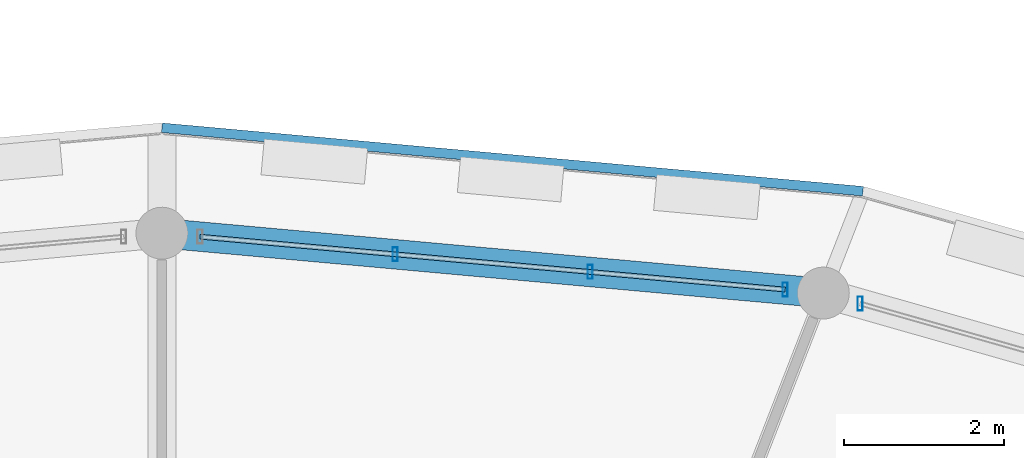
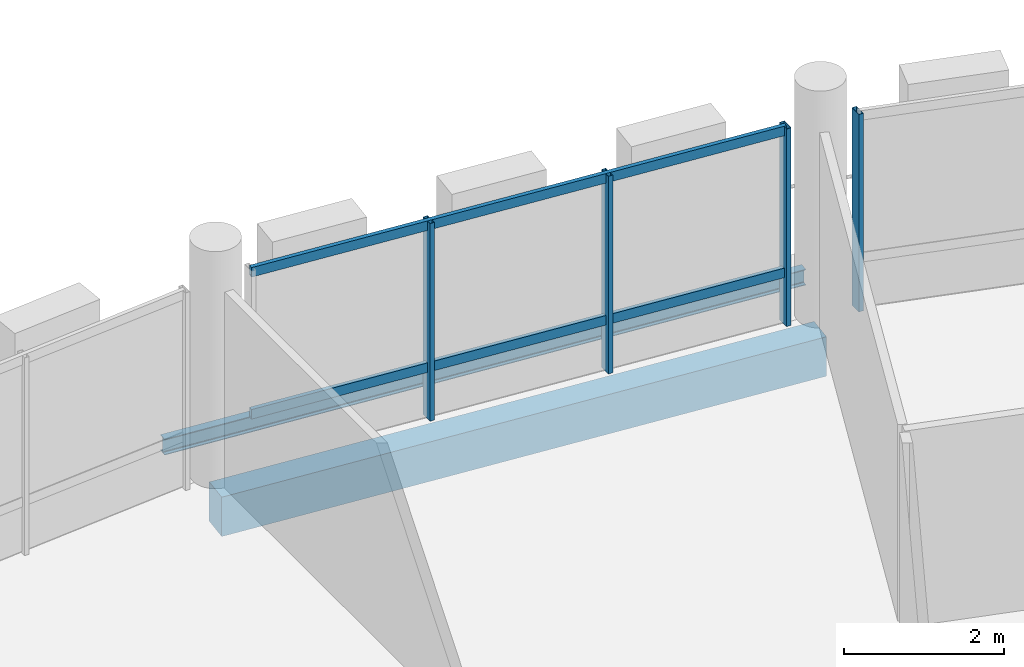
# One storey, part 52 of 93: 6 members, 2 beams, 2 elements without a shape of their own.
"""IFC4 building model written with IfcOpenShell, lengths in metres."""

from ifc_helpers import new_model, si_unit, direction, frame, origin, origin_2d, place, context, subcontext, project, spatial, rectangle, hollow_rectangle, i_section, extrude, material, material_profile, profile_set, type_object, element, aggregate, save


model = new_model("IFC4")

# Units and contexts
model_context = context("Model", 3, precision=1e-05, world=origin(), true_north=direction((0.0, 1.0)))
body_context = subcontext(model_context, "Body", "Model", "MODEL_VIEW")
ifc_project = project(units=[si_unit("LENGTHUNIT", "METRE"), si_unit("AREAUNIT", "SQUARE_METRE"), si_unit("VOLUMEUNIT", "CUBIC_METRE"), si_unit("PLANEANGLEUNIT", "RADIAN"), si_unit("MASSUNIT", "GRAM", prefix="KILO")], contexts=[model_context])

# Site, building, storey
site_placement = place(None, origin())
site = spatial("IfcSite", under=ifc_project, at=site_placement, CompositionType="ELEMENT")
building_placement = place(site_placement, origin())
building = spatial("IfcBuilding", under=site, at=building_placement, Name="Zornivar Specialist Clinic", CompositionType="ELEMENT")
storey_placement = place(building_placement, frame((0.0, 0.0, 8.39990234375)))
storey = spatial("IfcBuildingStorey", under=building, at=storey_placement, Name="L02", CompositionType="ELEMENT", Elevation=8.39990234375)

# Beams
ifc_material_1 = material(Name="Concrete C30/37", Category="concrete")
ifc_material_profile_1 = material_profile(ifc_material_1, rectangle(XDim=0.3701171875, YDim=0.60009765625, at=origin_2d()), Name="RC 370x600")
ifc_profile_set_1 = profile_set([ifc_material_profile_1], Name="Concrete C30/37")
beam_type_1 = type_object("IfcBeamType", Name="BM-RC-SPANDREL-370x600", PredefinedType="SPANDREL", material=ifc_profile_set_1)
beam_1_placement = place(storey_placement, frame((101.882080078125, 78.85009765625, -0.539794921875), z_axis=(-0.99592467027, 0.09018897465, 0.0), x_axis=(-0.09018897465, -0.99592467027, 0.0)))
element("IfcBeam", 1, at=beam_1_placement, inside=storey, type_object=beam_type_1, Name="bm:V1:L02:outring:05", PredefinedType="SPANDREL", context=body_context, shape_type="SweptSolid", body=[
    extrude(rectangle(XDim=0.3701171875, YDim=0.60009765625, at=origin_2d()), origin(), (0.0, 0.0, 1.0), 8.31591796875),
])
ifc_material_2 = material(Name="Steel S355J2", Category="steel")
ifc_material_profile_2 = material_profile(ifc_material_2, i_section(OverallWidth=0.1201171875, OverallDepth=0.239990234375, WebThickness=0.006103515625, FlangeThickness=0.009765625, FilletRadius=0.014892578125, at=origin_2d()), Name="IPE 240")
ifc_profile_set_2 = profile_set([ifc_material_profile_2], Name="Steel S355J2")
beam_type_2 = type_object("IfcBeamType", Name="BM-STL-IPE240", PredefinedType="JOIST", material=ifc_profile_set_2)
beam_2_placement = place(storey_placement, frame((102.37890625, 80.125, -0.35986328125), z_axis=(-0.995925380717, 0.090181129084, 0.0), x_axis=(-0.090181129084, -0.995925380717, 0.0)))
element("IfcBeam", 2, at=beam_2_placement, inside=storey, type_object=beam_type_2, Name="bm:V1:L02:balring:05", PredefinedType="JOIST", context=body_context, shape_type="SweptSolid", body=[
    extrude(i_section(OverallWidth=0.1201171875, OverallDepth=0.239990234375, WebThickness=0.006103515625, FlangeThickness=0.009765625, FilletRadius=0.014892578125, at=origin_2d()), origin(), (0.0, 0.0, 1.0), 8.814697265625),
])

# Curtain wall, member
ifc_material_3 = material(Name="Aluminium and Low-E Glass Curtain Wall", Category="aluminium")
curtain_wall_type = type_object("IfcCurtainWallType", Name="CW-DRUM-FACET", PredefinedType="NOTDEFINED", material=ifc_material_3)
curtain_wall_1_placement = place(storey_placement, origin())
curtain_wall_1 = element("IfcCurtainWall", 3, at=curtain_wall_1_placement, inside=storey, type_object=curtain_wall_type, Name="cw:V1:L02:c04", PredefinedType="NOTDEFINED")
ifc_material_4 = material(Name="Aluminium AW-6060", Category="aluminium")
ifc_material_profile_3 = material_profile(ifc_material_4, hollow_rectangle(XDim=0.06494140625, YDim=0.175048828125, WallThickness=0.00439453125, at=origin_2d()), Name="ALU 65x175x4.5")
ifc_profile_set_3 = profile_set([ifc_material_profile_3], Name="Aluminium AW-6060")
member_type_1 = type_object("IfcMemberType", Name="CWM-MUL-175", PredefinedType="MULLION", material=ifc_profile_set_3)
member_1_placement = place(storey_placement, frame((102.343017578125, 78.718017578125, 0.0), z_axis=(0.0, 0.0, 1.0), x_axis=(1.0, 0.0, 0.0)))
member_1 = element("IfcMember", 4, at=member_1_placement, type_object=member_type_1, Name="cw:V1:L02:c04:mul:3", PredefinedType="MULLION", context=body_context, shape_type="SweptSolid", body=[
    extrude(hollow_rectangle(XDim=0.06494140625, YDim=0.175048828125, WallThickness=0.00439453125, at=origin_2d()), origin(), (0.0, 0.0, 1.0), 3.010009765625),
])
aggregate(curtain_wall_1, [member_1])

# Curtain wall, members
curtain_wall_2_placement = place(storey_placement, origin())
curtain_wall_2 = element("IfcCurtainWall", 5, at=curtain_wall_2_placement, inside=storey, type_object=curtain_wall_type, Name="cw:V1:L02:c05", PredefinedType="NOTDEFINED")
member_2_placement = place(storey_placement, frame((101.404052734375, 78.89404296875, 0.0), z_axis=(0.0, 0.0, 1.0), x_axis=(1.0, 0.0, 0.0)))
member_2 = element("IfcMember", 6, at=member_2_placement, type_object=member_type_1, Name="cw:V1:L02:c05:mul:0", PredefinedType="MULLION", context=body_context, shape_type="SweptSolid", body=[
    extrude(hollow_rectangle(XDim=0.06494140625, YDim=0.175048828125, WallThickness=0.00439453125, at=origin_2d()), origin(), (0.0, 0.0, 1.0), 3.010009765625),
])
member_3_placement = place(storey_placement, frame((98.9619140625, 79.114990234375, 0.0), z_axis=(0.0, 0.0, 1.0), x_axis=(1.0, 0.0, 0.0)))
member_3 = element("IfcMember", 7, at=member_3_placement, type_object=member_type_1, Name="cw:V1:L02:c05:mul:1", PredefinedType="MULLION", context=body_context, shape_type="SweptSolid", body=[
    extrude(hollow_rectangle(XDim=0.06494140625, YDim=0.175048828125, WallThickness=0.00439453125, at=origin_2d()), origin(), (0.0, 0.0, 1.0), 3.010009765625),
])
member_4_placement = place(storey_placement, frame((96.52001953125, 79.3359375, 0.0), z_axis=(0.0, 0.0, 1.0), x_axis=(1.0, 0.0, 0.0)))
member_4 = element("IfcMember", 8, at=member_4_placement, type_object=member_type_1, Name="cw:V1:L02:c05:mul:2", PredefinedType="MULLION", context=body_context, shape_type="SweptSolid", body=[
    extrude(hollow_rectangle(XDim=0.06494140625, YDim=0.175048828125, WallThickness=0.00439453125, at=origin_2d()), origin(), (0.0, 0.0, 1.0), 3.010009765625),
])
ifc_material_5 = material(Name="Aluminium AW-6060", Category="aluminium")
ifc_material_profile_4 = material_profile(ifc_material_5, hollow_rectangle(XDim=0.06005859375, YDim=0.14501953125, WallThickness=0.00390625, at=origin_2d()), Name="ALU 60x145x4")
ifc_profile_set_4 = profile_set([ifc_material_profile_4], Name="Aluminium AW-6060")
member_type_2 = type_object("IfcMemberType", Name="CWM-TRN-145", PredefinedType="USERDEFINED", material=ifc_profile_set_4)
member_5_placement = place(storey_placement, frame((101.404052734375, 78.89404296875, 0.783203125), z_axis=(-0.995943921343, 0.089976138722, 0.0), x_axis=(-0.089976138722, -0.995943921343, 0.0)))
member_5 = element("IfcMember", 9, at=member_5_placement, type_object=member_type_2, Name="cw:V1:L02:c05:trn:0", ObjectType="TRANSOM", PredefinedType="USERDEFINED", context=body_context, shape_type="SweptSolid", body=[
    extrude(hollow_rectangle(XDim=0.06005859375, YDim=0.14501953125, WallThickness=0.00390625, at=origin_2d()), origin(), (0.0, 0.0, 1.0), 7.35595703125),
])
member_6_placement = place(storey_placement, frame((101.404052734375, 78.89404296875, 2.945068359375), z_axis=(-0.995943921343, 0.089976138722, 0.0), x_axis=(-0.089976138722, -0.995943921343, 0.0)))
member_6 = element("IfcMember", 10, at=member_6_placement, type_object=member_type_2, Name="cw:V1:L02:c05:trn:1", ObjectType="TRANSOM", PredefinedType="USERDEFINED", context=body_context, shape_type="SweptSolid", body=[
    extrude(hollow_rectangle(XDim=0.06005859375, YDim=0.14501953125, WallThickness=0.00390625, at=origin_2d()), origin(), (0.0, 0.0, 1.0), 7.35595703125),
])
aggregate(curtain_wall_2, [member_2, member_3, member_4, member_5, member_6])

save(model, "model.ifc")
